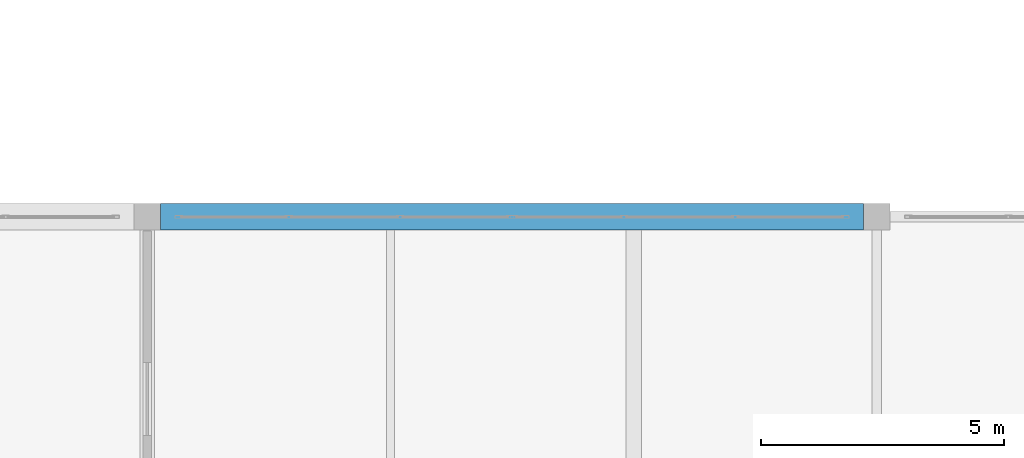
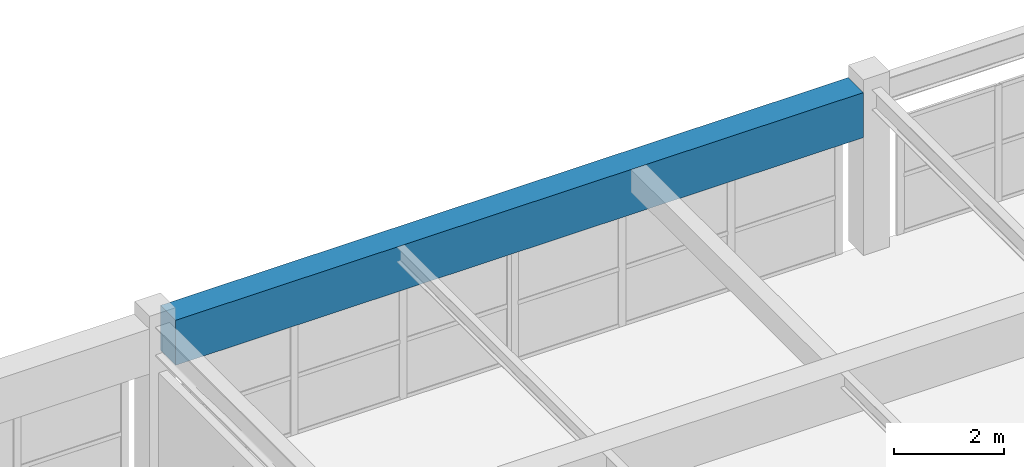
# One storey, part 28 of 101: 1 beam.
"""IFC4 building model written with IfcOpenShell, lengths in metres."""

from ifc_helpers import new_model, si_unit, direction, frame, origin, origin_2d, place, context, subcontext, project, spatial, rectangle, extrude, material, material_profile, profile_set, type_object, element, save


model = new_model("IFC4")

# Units and contexts
model_context = context("Model", 3, precision=1e-05, world=origin(), true_north=direction((0.0, 1.0)))
body_context = subcontext(model_context, "Body", "Model", "MODEL_VIEW")
ifc_project = project(units=[si_unit("LENGTHUNIT", "METRE"), si_unit("AREAUNIT", "SQUARE_METRE"), si_unit("VOLUMEUNIT", "CUBIC_METRE"), si_unit("PLANEANGLEUNIT", "RADIAN"), si_unit("MASSUNIT", "GRAM", prefix="KILO")], contexts=[model_context])

# Site, building, storey
site_placement = place(None, origin())
site = spatial("IfcSite", under=ifc_project, at=site_placement, CompositionType="ELEMENT")
building_placement = place(site_placement, origin())
building = spatial("IfcBuilding", under=site, at=building_placement, Name="Qasida Concert Hall", CompositionType="ELEMENT")
storey_placement = place(building_placement, frame((0.0, 0.0, 13.199951171875)))
storey = spatial("IfcBuildingStorey", under=building, at=storey_placement, Name="L03", CompositionType="ELEMENT", Elevation=13.199951171875)

# Beam
ifc_material = material(Name="Concrete C40/50", Category="concrete")
ifc_material_profile = material_profile(ifc_material, rectangle(XDim=0.550048828125, YDim=1.0, at=origin_2d()), Name="RC 550x1000")
ifc_profile_set = profile_set([ifc_material_profile], Name="Concrete C40/50")
beam_type = type_object("IfcBeamType", Name="BM-G3", PredefinedType="USERDEFINED", material=ifc_profile_set)
beam_placement = place(storey_placement, frame((15.27490234375, 52.5, 3.1201171875), z_axis=(1.0, 0.0, 0.0), x_axis=(0.0, 1.0, 0.0)))
element("IfcBeam", 1, at=beam_placement, inside=storey, type_object=beam_type, Name="Primary girder 1614", ObjectType="GIRDER", PredefinedType="USERDEFINED", context=body_context, shape_type="SweptSolid", body=[
    extrude(rectangle(XDim=0.550048828125, YDim=1.0, at=origin_2d()), origin(), (0.0, 0.0, 1.0), 14.4501953125),
])

save(model, "model.ifc")
